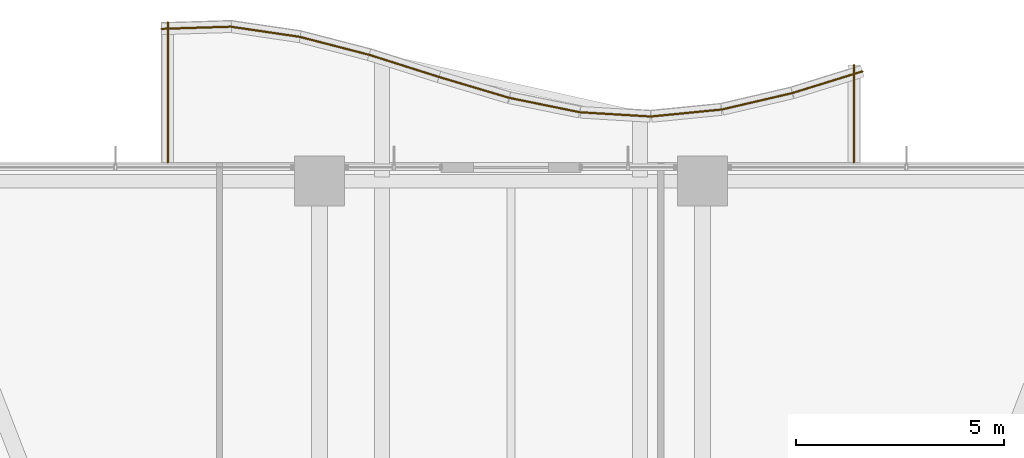
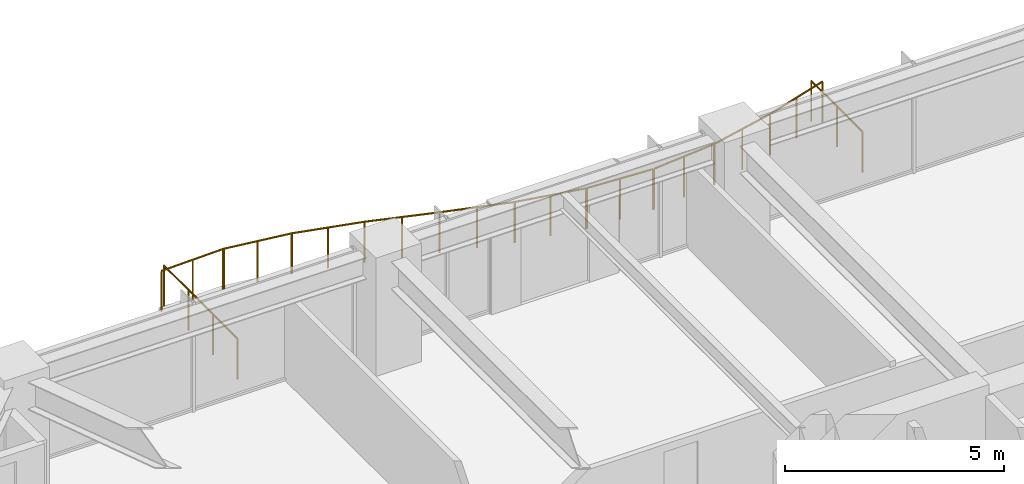
# One storey, part 38 of 38: 12 railings.
"""IFC4 building model written with IfcOpenShell, lengths in metres."""

from ifc_helpers import new_model, si_unit, direction, frame, origin, origin_2d, place, context, subcontext, project, spatial, circle, extrude, material, type_object, element, save


model = new_model("IFC4")

# Units and contexts
model_context = context("Model", 3, precision=1e-05, world=origin(), true_north=direction((0.0, 1.0)))
body_context = subcontext(model_context, "Body", "Model", "MODEL_VIEW")
ifc_project = project(units=[si_unit("LENGTHUNIT", "METRE"), si_unit("AREAUNIT", "SQUARE_METRE"), si_unit("VOLUMEUNIT", "CUBIC_METRE"), si_unit("PLANEANGLEUNIT", "RADIAN"), si_unit("MASSUNIT", "GRAM", prefix="KILO")], contexts=[model_context])

# Site, building, storey
site_placement = place(None, origin())
site = spatial("IfcSite", under=ifc_project, at=site_placement, CompositionType="ELEMENT")
building_placement = place(site_placement, origin())
building = spatial("IfcBuilding", under=site, at=building_placement, Name="Kolvaren Belvedere", CompositionType="ELEMENT")
storey_placement = place(building_placement, frame((0.0, 0.0, 27.10009765625)))
storey = spatial("IfcBuildingStorey", under=building, at=storey_placement, Name="L07", CompositionType="ELEMENT", Elevation=27.10009765625)

# Railings
ifc_material = material(Name="Anodised pale-metal aluminium & laminated glass guard", Category="aluminium")
railing_type = type_object("IfcRailingType", Name="RL-GUARD-1150", PredefinedType="GUARDRAIL", material=ifc_material)
railing_1_placement = place(storey_placement, frame((8.239990234375, 22.0, 0.35986328125)))
element("IfcRailing", 1, at=railing_1_placement, inside=storey, type_object=railing_type, Name="L07 Exterior Deck Safety Guard BAL-N-11", PredefinedType="GUARDRAIL", context=body_context, shape_type="SweptSolid", body=[
    extrude(circle(Radius=0.02392578125, at=origin_2d()), frame((0.0, 0.0, 1.1259765625), z_axis=(0.0, 1.0, 0.0), x_axis=(-1.0, 0.0, 0.0)), (0.0, 0.0, 1.0), 2.340087890625),
    extrude(circle(Radius=0.02099609375, at=origin_2d()), origin(), (0.0, 0.0, 1.0), 1.101806640625),
    extrude(circle(Radius=0.02099609375, at=origin_2d()), frame((0.0, 1.169921875, 0.0)), (0.0, 0.0, 1.0), 1.101806640625),
    extrude(circle(Radius=0.02099609375, at=origin_2d()), frame((0.0, 2.340087890625, 0.0)), (0.0, 0.0, 1.0), 1.101806640625),
])
railing_2_placement = place(storey_placement, frame((8.447265625, 24.187255859375, 0.35986328125)))
element("IfcRailing", 2, at=railing_2_placement, inside=storey, type_object=railing_type, Name="L07 Exterior Deck Safety Guard BAL-N-12", PredefinedType="GUARDRAIL", context=body_context, shape_type="SweptSolid", body=[
    extrude(circle(Radius=0.02392578125, at=origin_2d()), frame((0.0, 0.0, 1.1259765625), z_axis=(-0.95524013163, -0.295831524561, 0.0), x_axis=(0.295831524561, -0.95524013163, 0.0)), (0.0, 0.0, 1.0), 1.758544921875),
    extrude(circle(Radius=0.02099609375, at=origin_2d()), origin(), (0.0, 0.0, 1.0), 1.101806640625),
    extrude(circle(Radius=0.02099609375, at=origin_2d()), frame((-0.83984375, -0.26025390625, 0.0)), (0.0, 0.0, 1.0), 1.101806640625),
    extrude(circle(Radius=0.02099609375, at=origin_2d()), frame((-1.679931640625, -0.520263671875, 0.0)), (0.0, 0.0, 1.0), 1.101806640625),
])
railing_3_placement = place(storey_placement, frame((6.75634765625, 23.663818359375, 0.35986328125)))
element("IfcRailing", 3, at=railing_3_placement, inside=storey, type_object=railing_type, Name="L07 Exterior Deck Safety Guard BAL-N-13", PredefinedType="GUARDRAIL", context=body_context, shape_type="SweptSolid", body=[
    extrude(circle(Radius=0.02392578125, at=origin_2d()), frame((0.0, 0.0, 1.1259765625), z_axis=(-0.973890253884, -0.227019323824, 0.0), x_axis=(0.227019323824, -0.973890253884, 0.0)), (0.0, 0.0, 1.0), 1.724853515625),
    extrude(circle(Radius=0.02099609375, at=origin_2d()), origin(), (0.0, 0.0, 1.0), 1.101806640625),
    extrude(circle(Radius=0.02099609375, at=origin_2d()), frame((-0.83984375, -0.19580078125, 0.0)), (0.0, 0.0, 1.0), 1.101806640625),
    extrude(circle(Radius=0.02099609375, at=origin_2d()), frame((-1.679931640625, -0.3916015625, 0.0)), (0.0, 0.0, 1.0), 1.101806640625),
])
railing_4_placement = place(storey_placement, frame((5.0556640625, 23.268798828125, 0.35986328125)))
element("IfcRailing", 4, at=railing_4_placement, inside=storey, type_object=railing_type, Name="L07 Exterior Deck Safety Guard BAL-N-14", PredefinedType="GUARDRAIL", context=body_context, shape_type="SweptSolid", body=[
    extrude(circle(Radius=0.02392578125, at=origin_2d()), frame((0.0, 0.0, 1.1259765625), z_axis=(-0.995152499202, -0.098343801694, 0.0), x_axis=(0.098343801694, -0.995152499202, 0.0)), (0.0, 0.0, 1.0), 1.688232421875),
    extrude(circle(Radius=0.02099609375, at=origin_2d()), origin(), (0.0, 0.0, 1.0), 1.101806640625),
    extrude(circle(Radius=0.02099609375, at=origin_2d()), frame((-0.83984375, -0.0830078125, 0.0)), (0.0, 0.0, 1.0), 1.101806640625),
    extrude(circle(Radius=0.02099609375, at=origin_2d()), frame((-1.679931640625, -0.166015625, 0.0)), (0.0, 0.0, 1.0), 1.101806640625),
])
railing_5_placement = place(storey_placement, frame((3.350341796875, 23.102294921875, 0.35986328125)))
element("IfcRailing", 5, at=railing_5_placement, inside=storey, type_object=railing_type, Name="L07 Exterior Deck Safety Guard BAL-N-15", PredefinedType="GUARDRAIL", context=body_context, shape_type="SweptSolid", body=[
    extrude(circle(Radius=0.02392578125, at=origin_2d()), frame((0.0, 0.0, 1.1259765625), z_axis=(-0.998203631072, 0.059912527196, 0.0), x_axis=(-0.059912527196, -0.998203631072, 0.0)), (0.0, 0.0, 1.0), 1.682861328125),
    extrude(circle(Radius=0.02099609375, at=origin_2d()), origin(), (0.0, 0.0, 1.0), 1.101806640625),
    extrude(circle(Radius=0.02099609375, at=origin_2d()), frame((-0.83984375, 0.05029296875, 0.0)), (0.0, 0.0, 1.0), 1.101806640625),
    extrude(circle(Radius=0.02099609375, at=origin_2d()), frame((-1.679931640625, 0.100830078125, 0.0)), (0.0, 0.0, 1.0), 1.101806640625),
])
railing_6_placement = place(storey_placement, frame((1.64794921875, 23.2060546875, 0.35986328125)))
element("IfcRailing", 6, at=railing_6_placement, inside=storey, type_object=railing_type, Name="L07 Exterior Deck Safety Guard BAL-N-16", PredefinedType="GUARDRAIL", context=body_context, shape_type="SweptSolid", body=[
    extrude(circle(Radius=0.02392578125, at=origin_2d()), frame((0.0, 0.0, 1.1259765625), z_axis=(-0.979867779516, 0.199647526069, 0.0), x_axis=(-0.199647526069, -0.979867779516, 0.0)), (0.0, 0.0, 1.0), 1.71435546875),
    extrude(circle(Radius=0.02099609375, at=origin_2d()), origin(), (0.0, 0.0, 1.0), 1.101806640625),
    extrude(circle(Radius=0.02099609375, at=origin_2d()), frame((-0.83984375, 0.171142578125, 0.0)), (0.0, 0.0, 1.0), 1.101806640625),
    extrude(circle(Radius=0.02099609375, at=origin_2d()), frame((-1.679931640625, 0.34228515625, 0.0)), (0.0, 0.0, 1.0), 1.101806640625),
])
railing_7_placement = place(storey_placement, frame((-0.045654296875, 23.5517578125, 0.35986328125)))
element("IfcRailing", 7, at=railing_7_placement, inside=storey, type_object=railing_type, Name="L07 Exterior Deck Safety Guard BAL-N-17", PredefinedType="GUARDRAIL", context=body_context, shape_type="SweptSolid", body=[
    extrude(circle(Radius=0.02392578125, at=origin_2d()), frame((0.0, 0.0, 1.1259765625), z_axis=(-0.958525043221, 0.28500831833, 0.0), x_axis=(-0.28500831833, -0.958525043221, 0.0)), (0.0, 0.0, 1.0), 1.752685546875),
    extrude(circle(Radius=0.02099609375, at=origin_2d()), origin(), (0.0, 0.0, 1.0), 1.101806640625),
    extrude(circle(Radius=0.02099609375, at=origin_2d()), frame((-0.83984375, 0.249755859375, 0.0)), (0.0, 0.0, 1.0), 1.101806640625),
    extrude(circle(Radius=0.02099609375, at=origin_2d()), frame((-1.679931640625, 0.49951171875, 0.0)), (0.0, 0.0, 1.0), 1.101806640625),
])
railing_8_placement = place(storey_placement, frame((-1.728515625, 24.052001953125, 0.35986328125)))
element("IfcRailing", 8, at=railing_8_placement, inside=storey, type_object=railing_type, Name="L07 Exterior Deck Safety Guard BAL-N-18", PredefinedType="GUARDRAIL", context=body_context, shape_type="SweptSolid", body=[
    extrude(circle(Radius=0.02392578125, at=origin_2d()), frame((0.0, 0.0, 1.1259765625), z_axis=(-0.953142020151, 0.302523204768, 0.0), x_axis=(-0.302523204768, -0.953142020151, 0.0)), (0.0, 0.0, 1.0), 1.762451171875),
    extrude(circle(Radius=0.02099609375, at=origin_2d()), origin(), (0.0, 0.0, 1.0), 1.101806640625),
    extrude(circle(Radius=0.02099609375, at=origin_2d()), frame((-0.83984375, 0.2666015625, 0.0)), (0.0, 0.0, 1.0), 1.101806640625),
    extrude(circle(Radius=0.02099609375, at=origin_2d()), frame((-1.679931640625, 0.533203125, 0.0)), (0.0, 0.0, 1.0), 1.101806640625),
])
railing_9_placement = place(storey_placement, frame((-3.400146484375, 24.582763671875, 0.35986328125)))
element("IfcRailing", 9, at=railing_9_placement, inside=storey, type_object=railing_type, Name="L07 Exterior Deck Safety Guard BAL-N-19", PredefinedType="GUARDRAIL", context=body_context, shape_type="SweptSolid", body=[
    extrude(circle(Radius=0.02392578125, at=origin_2d()), frame((0.0, 0.0, 1.1259765625), z_axis=(-0.968132209145, 0.250439664624, 0.0), x_axis=(-0.250439664624, -0.968132209145, 0.0)), (0.0, 0.0, 1.0), 1.7353515625),
    extrude(circle(Radius=0.02099609375, at=origin_2d()), origin(), (0.0, 0.0, 1.0), 1.101806640625),
    extrude(circle(Radius=0.02099609375, at=origin_2d()), frame((-0.83984375, 0.21728515625, 0.0)), (0.0, 0.0, 1.0), 1.101806640625),
    extrude(circle(Radius=0.02099609375, at=origin_2d()), frame((-1.679931640625, 0.4345703125, 0.0)), (0.0, 0.0, 1.0), 1.101806640625),
])
railing_10_placement = place(storey_placement, frame((-5.063232421875, 25.013916015625, 0.35986328125)))
element("IfcRailing", 10, at=railing_10_placement, inside=storey, type_object=railing_type, Name="L07 Exterior Deck Safety Guard BAL-N-20", PredefinedType="GUARDRAIL", context=body_context, shape_type="SweptSolid", body=[
    extrude(circle(Radius=0.02392578125, at=origin_2d()), frame((0.0, 0.0, 1.1259765625), z_axis=(-0.98929818871, 0.145907826437, 0.0), x_axis=(-0.145907826437, -0.98929818871, 0.0)), (0.0, 0.0, 1.0), 1.6982421875),
    extrude(circle(Radius=0.02099609375, at=origin_2d()), origin(), (0.0, 0.0, 1.0), 1.101806640625),
    extrude(circle(Radius=0.02099609375, at=origin_2d()), frame((-0.840087890625, 0.1240234375, 0.0)), (0.0, 0.0, 1.0), 1.101806640625),
    extrude(circle(Radius=0.02099609375, at=origin_2d()), frame((-1.68017578125, 0.247802734375, 0.0)), (0.0, 0.0, 1.0), 1.101806640625),
])
railing_11_placement = place(storey_placement, frame((-6.715087890625, 25.260009765625, 0.35986328125)))
element("IfcRailing", 11, at=railing_11_placement, inside=storey, type_object=railing_type, Name="L07 Exterior Deck Safety Guard BAL-N-21", PredefinedType="GUARDRAIL", context=body_context, shape_type="SweptSolid", body=[
    extrude(circle(Radius=0.02392578125, at=origin_2d()), frame((0.0, 0.0, 1.1259765625), z_axis=(-0.999507673088, -0.031375331694, 0.0), x_axis=(0.031375331694, -0.999507673088, 0.0)), (0.0, 0.0, 1.0), 1.6806640625),
    extrude(circle(Radius=0.02099609375, at=origin_2d()), origin(), (0.0, 0.0, 1.0), 1.101806640625),
    extrude(circle(Radius=0.02099609375, at=origin_2d()), frame((-0.83984375, -0.0263671875, 0.0)), (0.0, 0.0, 1.0), 1.101806640625),
    extrude(circle(Radius=0.02099609375, at=origin_2d()), frame((-1.679931640625, -0.052734375, 0.0)), (0.0, 0.0, 1.0), 1.101806640625),
])
railing_12_placement = place(storey_placement, frame((-8.239990234375, 25.3671875, 0.35986328125)))
element("IfcRailing", 12, at=railing_12_placement, inside=storey, type_object=railing_type, Name="L07 Exterior Deck Safety Guard BAL-N-22", PredefinedType="GUARDRAIL", context=body_context, shape_type="SweptSolid", body=[
    extrude(circle(Radius=0.02392578125, at=origin_2d()), frame((0.0, 0.0, 1.1259765625), z_axis=(0.0, -1.0, 0.0), x_axis=(1.0, 0.0, 0.0)), (0.0, 0.0, 1.0), 3.3671875),
    extrude(circle(Radius=0.02099609375, at=origin_2d()), origin(), (0.0, 0.0, 1.0), 1.101806640625),
    extrude(circle(Radius=0.02099609375, at=origin_2d()), frame((0.0, -1.122314453125, 0.0)), (0.0, 0.0, 1.0), 1.101806640625),
    extrude(circle(Radius=0.02099609375, at=origin_2d()), frame((0.0, -2.244873046875, 0.0)), (0.0, 0.0, 1.0), 1.101806640625),
    extrude(circle(Radius=0.02099609375, at=origin_2d()), frame((0.0, -3.3671875, 0.0)), (0.0, 0.0, 1.0), 1.101806640625),
])

save(model, "model.ifc")
